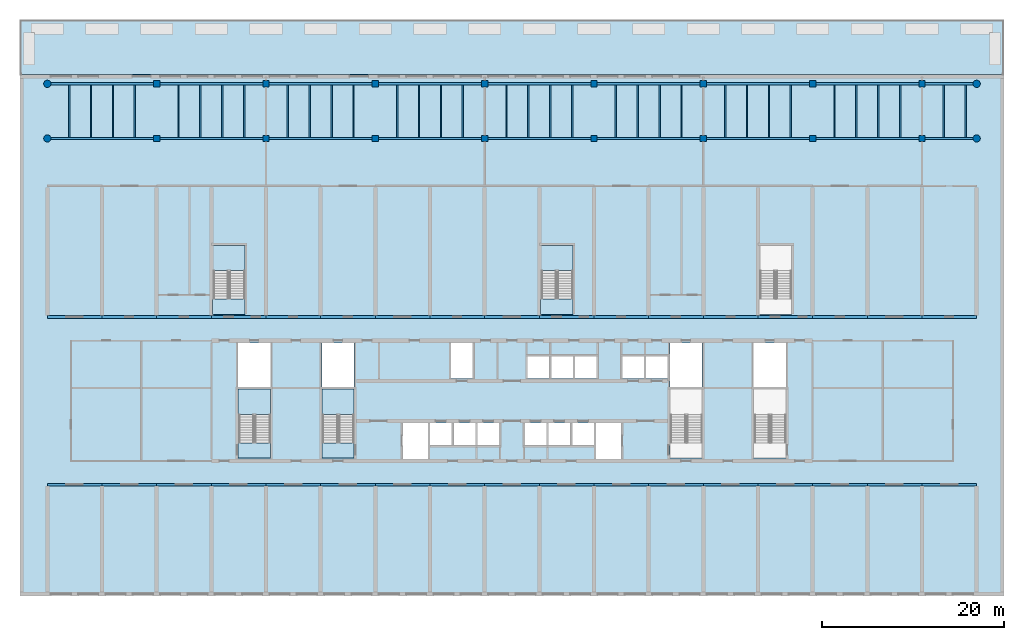
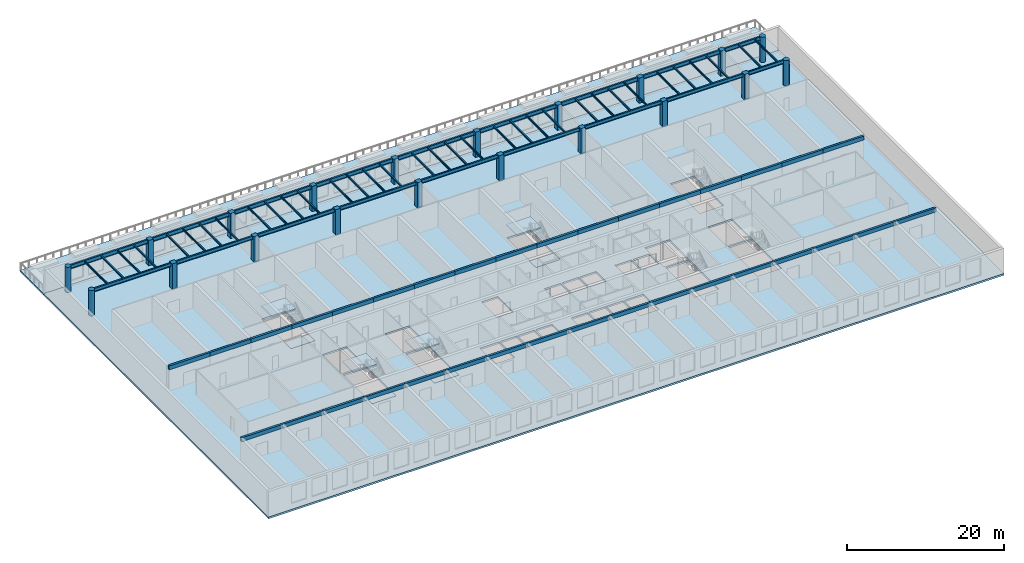
# One storey, part 1 of 16: 86 beams, 20 columns, 10 slabs, 4 elements without a shape of their own.
"""IFC4 building model written with IfcOpenShell, lengths in metres."""

from ifc_helpers import new_model, si_unit, direction, frame, origin, origin_2d, place, context, subcontext, project, spatial, polyline, rectangle, circle, i_section, outline, extrude, source, transform, mapped, material, layer, layer_set, material_profile, profile_set, type_object, element, aggregate, save


model = new_model("IFC4")

# Units and contexts
model_context = context("Model", 3, precision=1e-05, world=origin(), true_north=direction((0.0, 1.0)))
body_context = subcontext(model_context, "Body", "Model", "MODEL_VIEW")
ifc_project = project(units=[si_unit("LENGTHUNIT", "METRE"), si_unit("AREAUNIT", "SQUARE_METRE"), si_unit("VOLUMEUNIT", "CUBIC_METRE"), si_unit("PLANEANGLEUNIT", "RADIAN"), si_unit("MASSUNIT", "GRAM", prefix="KILO")], contexts=[model_context])

# Site, building, storey
site_placement = place(None, origin())
site = spatial("IfcSite", under=ifc_project, at=site_placement, CompositionType="ELEMENT")
building_placement = place(site_placement, origin())
building = spatial("IfcBuilding", under=site, at=building_placement, Name="Poui Terraces", CompositionType="ELEMENT")
storey_placement = place(building_placement, frame((0.0, 0.0, 15.0)))
storey = spatial("IfcBuildingStorey", under=building, at=storey_placement, Name="L03", CompositionType="ELEMENT", Elevation=15.0)

# Columns
ifc_material_1 = material(Name="Concrete 80 MPa", Category="concrete")
ifc_material_profile_1 = material_profile(ifc_material_1, circle(Radius=0.39990234375, at=origin_2d()), Name="RC D800")
ifc_profile_set_1 = profile_set([ifc_material_profile_1], Name="Concrete 80 MPa")
column_type_1 = type_object("IfcColumnType", Name="COLUMN D800 80MPa", PredefinedType="COLUMN", material=ifc_profile_set_1)
shared_shape_1 = source(origin(), body_context, "Body", "SweptSolid", [
    extrude(circle(Radius=0.39990234375, at=origin_2d()), origin(), (0.0, 0.0, 1.0), 3.919921875),
])
for number, where, z_axis, x_axis, name in (
    (1, (0.0, 56.0, 0.0), (0.0, 0.0, 1.0), (1.0, 0.0, 0.0), "COLUMN P3-1R"),
    (2, (102.0, 56.0, 0.0), (0.0, 0.0, 1.0), (1.0, 0.0, 0.0), "COLUMN P3-10R"),
    (3, (0.0, 50.0, 0.0), (0.0, 0.0, 1.0), (1.0, 0.0, 0.0), "COLUMN P4-1R"),
    (4, (102.0, 50.0, 0.0), (0.0, 0.0, 1.0), (1.0, 0.0, 0.0), "COLUMN P4-10R"),
):
    element("IfcColumn", number, at=place(storey_placement, frame(where, z_axis=z_axis, x_axis=x_axis)), inside=storey, type_object=column_type_1, Name=name, PredefinedType="COLUMN", context=body_context, shape_type="MappedRepresentation", body=[
        mapped(shared_shape_1, transform((0.0, 0.0, 0.0))),
    ])
ifc_material_profile_2 = material_profile(ifc_material_1, rectangle(XDim=0.699951171875, YDim=0.699951171875, at=origin_2d()), Name="RC 700x700")
ifc_profile_set_2 = profile_set([ifc_material_profile_2], Name="Concrete 80 MPa")
column_type_2 = type_object("IfcColumnType", Name="COLUMN 700x700 80MPa", PredefinedType="COLUMN", material=ifc_profile_set_2)
shared_shape_2 = source(origin(), body_context, "Body", "SweptSolid", [
    extrude(rectangle(XDim=0.699951171875, YDim=0.699951171875, at=origin_2d()), origin(), (0.0, 0.0, 1.0), 3.919921875),
])
for number, where, z_axis, x_axis, name in (
    (5, (12.0, 56.0, 0.0), (0.0, 0.0, 1.0), (1.0, 0.0, 0.0), "COLUMN P3-2"),
    (6, (24.0, 56.0, 0.0), (0.0, 0.0, 1.0), (1.0, 0.0, 0.0), "COLUMN P3-3"),
    (7, (36.0, 56.0, 0.0), (0.0, 0.0, 1.0), (1.0, 0.0, 0.0), "COLUMN P3-4"),
    (8, (48.0, 56.0, 0.0), (0.0, 0.0, 1.0), (1.0, 0.0, 0.0), "COLUMN P3-5"),
    (9, (60.0, 56.0, 0.0), (0.0, 0.0, 1.0), (1.0, 0.0, 0.0), "COLUMN P3-6"),
    (10, (72.0, 56.0, 0.0), (0.0, 0.0, 1.0), (1.0, 0.0, 0.0), "COLUMN P3-7"),
    (11, (84.0, 56.0, 0.0), (0.0, 0.0, 1.0), (1.0, 0.0, 0.0), "COLUMN P3-8"),
    (12, (96.0, 56.0, 0.0), (0.0, 0.0, 1.0), (1.0, 0.0, 0.0), "COLUMN P3-9"),
    (13, (12.0, 50.0, 0.0), (0.0, 0.0, 1.0), (1.0, 0.0, 0.0), "COLUMN P4-2"),
    (14, (24.0, 50.0, 0.0), (0.0, 0.0, 1.0), (1.0, 0.0, 0.0), "COLUMN P4-3"),
    (15, (36.0, 50.0, 0.0), (0.0, 0.0, 1.0), (1.0, 0.0, 0.0), "COLUMN P4-4"),
    (16, (48.0, 50.0, 0.0), (0.0, 0.0, 1.0), (1.0, 0.0, 0.0), "COLUMN P4-5"),
    (17, (60.0, 50.0, 0.0), (0.0, 0.0, 1.0), (1.0, 0.0, 0.0), "COLUMN P4-6"),
    (18, (72.0, 50.0, 0.0), (0.0, 0.0, 1.0), (1.0, 0.0, 0.0), "COLUMN P4-7"),
    (19, (84.0, 50.0, 0.0), (0.0, 0.0, 1.0), (1.0, 0.0, 0.0), "COLUMN P4-8"),
    (20, (96.0, 50.0, 0.0), (0.0, 0.0, 1.0), (1.0, 0.0, 0.0), "COLUMN P4-9"),
):
    element("IfcColumn", number, at=place(storey_placement, frame(where, z_axis=z_axis, x_axis=x_axis)), inside=storey, type_object=column_type_2, Name=name, PredefinedType="COLUMN", context=body_context, shape_type="MappedRepresentation", body=[
        mapped(shared_shape_2, transform((0.0, 0.0, 0.0))),
    ])

# Beams
ifc_material_profile_3 = material_profile(ifc_material_1, rectangle(XDim=0.300048828125, YDim=0.60009765625, at=origin_2d()), Name="RC 300x600")
ifc_profile_set_3 = profile_set([ifc_material_profile_3], Name="Concrete 80 MPa")
beam_type_1 = type_object("IfcBeamType", Name="COUPLING BEAM 300x600 80MPa", PredefinedType="BEAM", material=ifc_profile_set_3)
shared_shape_3 = source(origin(), body_context, "Body", "SweptSolid", [
    extrude(rectangle(XDim=0.300048828125, YDim=0.60009765625, at=origin_2d()), origin(), (0.0, 0.0, 1.0), 6.0),
])
for number, where, z_axis, x_axis, name in (
    (21, (0.0, 12.0, 3.6201171875), (1.0, 0.0, 0.0), (0.0, 1.0, 0.0), "COUPLING BEAM LINE B BAY 1"),
    (22, (6.0, 12.0, 3.6201171875), (1.0, 0.0, 0.0), (0.0, 1.0, 0.0), "COUPLING BEAM LINE B BAY 2"),
    (23, (12.0, 12.0, 3.6201171875), (1.0, 0.0, 0.0), (0.0, 1.0, 0.0), "COUPLING BEAM LINE B BAY 3"),
    (24, (18.0, 12.0, 3.6201171875), (1.0, 0.0, 0.0), (0.0, 1.0, 0.0), "COUPLING BEAM LINE B BAY 4"),
    (25, (24.0, 12.0, 3.6201171875), (1.0, 0.0, 0.0), (0.0, 1.0, 0.0), "COUPLING BEAM LINE B BAY 5"),
    (26, (30.0, 12.0, 3.6201171875), (1.0, 0.0, 0.0), (0.0, 1.0, 0.0), "COUPLING BEAM LINE B BAY 6"),
    (27, (36.0, 12.0, 3.6201171875), (1.0, 0.0, 0.0), (0.0, 1.0, 0.0), "COUPLING BEAM LINE B BAY 7"),
    (28, (42.0, 12.0, 3.6201171875), (1.0, 0.0, 0.0), (0.0, 1.0, 0.0), "COUPLING BEAM LINE B BAY 8"),
    (29, (48.0, 12.0, 3.6201171875), (1.0, 0.0, 0.0), (0.0, 1.0, 0.0), "COUPLING BEAM LINE B BAY 9"),
    (30, (54.0, 12.0, 3.6201171875), (1.0, 0.0, 0.0), (0.0, 1.0, 0.0), "COUPLING BEAM LINE B BAY 10"),
    (31, (60.0, 12.0, 3.6201171875), (1.0, 0.0, 0.0), (0.0, 1.0, 0.0), "COUPLING BEAM LINE B BAY 11"),
    (32, (66.0, 12.0, 3.6201171875), (1.0, 0.0, 0.0), (0.0, 1.0, 0.0), "COUPLING BEAM LINE B BAY 12"),
    (33, (72.0, 12.0, 3.6201171875), (1.0, 0.0, 0.0), (0.0, 1.0, 0.0), "COUPLING BEAM LINE B BAY 13"),
    (34, (78.0, 12.0, 3.6201171875), (1.0, 0.0, 0.0), (0.0, 1.0, 0.0), "COUPLING BEAM LINE B BAY 14"),
    (35, (84.0, 12.0, 3.6201171875), (1.0, 0.0, 0.0), (0.0, 1.0, 0.0), "COUPLING BEAM LINE B BAY 15"),
    (36, (90.0, 12.0, 3.6201171875), (1.0, 0.0, 0.0), (0.0, 1.0, 0.0), "COUPLING BEAM LINE B BAY 16"),
    (37, (96.0, 12.0, 3.6201171875), (1.0, 0.0, 0.0), (0.0, 1.0, 0.0), "COUPLING BEAM LINE B BAY 17"),
    (38, (0.0, 30.39990234375, 3.6201171875), (1.0, 0.0, 0.0), (0.0, 1.0, 0.0), "COUPLING BEAM LINE E BAY 1"),
    (39, (6.0, 30.39990234375, 3.6201171875), (1.0, 0.0, 0.0), (0.0, 1.0, 0.0), "COUPLING BEAM LINE E BAY 2"),
    (40, (12.0, 30.39990234375, 3.6201171875), (1.0, 0.0, 0.0), (0.0, 1.0, 0.0), "COUPLING BEAM LINE E BAY 3"),
    (41, (18.0, 30.39990234375, 3.6201171875), (1.0, 0.0, 0.0), (0.0, 1.0, 0.0), "COUPLING BEAM LINE E BAY 4"),
    (42, (24.0, 30.39990234375, 3.6201171875), (1.0, 0.0, 0.0), (0.0, 1.0, 0.0), "COUPLING BEAM LINE E BAY 5"),
    (43, (30.0, 30.39990234375, 3.6201171875), (1.0, 0.0, 0.0), (0.0, 1.0, 0.0), "COUPLING BEAM LINE E BAY 6"),
    (44, (36.0, 30.39990234375, 3.6201171875), (1.0, 0.0, 0.0), (0.0, 1.0, 0.0), "COUPLING BEAM LINE E BAY 7"),
    (45, (42.0, 30.39990234375, 3.6201171875), (1.0, 0.0, 0.0), (0.0, 1.0, 0.0), "COUPLING BEAM LINE E BAY 8"),
    (46, (48.0, 30.39990234375, 3.6201171875), (1.0, 0.0, 0.0), (0.0, 1.0, 0.0), "COUPLING BEAM LINE E BAY 9"),
    (47, (54.0, 30.39990234375, 3.6201171875), (1.0, 0.0, 0.0), (0.0, 1.0, 0.0), "COUPLING BEAM LINE E BAY 10"),
    (48, (60.0, 30.39990234375, 3.6201171875), (1.0, 0.0, 0.0), (0.0, 1.0, 0.0), "COUPLING BEAM LINE E BAY 11"),
    (49, (66.0, 30.39990234375, 3.6201171875), (1.0, 0.0, 0.0), (0.0, 1.0, 0.0), "COUPLING BEAM LINE E BAY 12"),
    (50, (72.0, 30.39990234375, 3.6201171875), (1.0, 0.0, 0.0), (0.0, 1.0, 0.0), "COUPLING BEAM LINE E BAY 13"),
    (51, (78.0, 30.39990234375, 3.6201171875), (1.0, 0.0, 0.0), (0.0, 1.0, 0.0), "COUPLING BEAM LINE E BAY 14"),
    (52, (84.0, 30.39990234375, 3.6201171875), (1.0, 0.0, 0.0), (0.0, 1.0, 0.0), "COUPLING BEAM LINE E BAY 15"),
    (53, (90.0, 30.39990234375, 3.6201171875), (1.0, 0.0, 0.0), (0.0, 1.0, 0.0), "COUPLING BEAM LINE E BAY 16"),
    (54, (96.0, 30.39990234375, 3.6201171875), (1.0, 0.0, 0.0), (0.0, 1.0, 0.0), "COUPLING BEAM LINE E BAY 17"),
):
    element("IfcBeam", number, at=place(storey_placement, frame(where, z_axis=z_axis, x_axis=x_axis)), inside=storey, type_object=beam_type_1, Name=name, PredefinedType="BEAM", context=body_context, shape_type="MappedRepresentation", body=[
        mapped(shared_shape_3, transform((0.0, 0.0, 0.0))),
    ])
ifc_material_2 = material(Name="Steel Grade 300 MPa", Category="steel")
ifc_material_profile_4 = material_profile(ifc_material_2, i_section(OverallWidth=0.14599609375, OverallDepth=0.256103515625, WebThickness=0.00634765625, FlangeThickness=0.010986328125, FilletRadius=0.0087890625, at=origin_2d()), Name="250UB37.3")
ifc_profile_set_4 = profile_set([ifc_material_profile_4], Name="Steel Grade 300 MPa")
beam_type_2 = type_object("IfcBeamType", Name="TERRACE BEAM 250UB37.3", PredefinedType="BEAM", material=ifc_profile_set_4)
shared_shape_4 = source(origin(), body_context, "Body", "SweptSolid", [
    extrude(i_section(OverallWidth=0.14599609375, OverallDepth=0.256103515625, WebThickness=0.00634765625, FlangeThickness=0.010986328125, FilletRadius=0.0087890625, at=origin_2d()), origin(), (0.0, 0.0, 1.0), 5.781005859375),
])
for number, where, z_axis, x_axis, name in (
    (55, (2.39990234375, 50.1044921875, 3.7919921875), (0.0, 1.0, 0.0), (-1.0, 0.0, 0.0), "TERRACE BEAM"),
    (56, (4.800048828125, 50.1044921875, 3.7919921875), (0.0, 1.0, 0.0), (-1.0, 0.0, 0.0), "TERRACE BEAM"),
    (57, (7.199951171875, 50.1044921875, 3.7919921875), (0.0, 1.0, 0.0), (-1.0, 0.0, 0.0), "TERRACE BEAM"),
    (58, (9.60009765625, 50.1044921875, 3.7919921875), (0.0, 1.0, 0.0), (-1.0, 0.0, 0.0), "TERRACE BEAM"),
    (59, (14.39990234375, 50.1044921875, 3.7919921875), (0.0, 1.0, 0.0), (-1.0, 0.0, 0.0), "TERRACE BEAM"),
    (60, (16.800048828125, 50.1044921875, 3.7919921875), (0.0, 1.0, 0.0), (-1.0, 0.0, 0.0), "TERRACE BEAM"),
    (61, (19.199951171875, 50.1044921875, 3.7919921875), (0.0, 1.0, 0.0), (-1.0, 0.0, 0.0), "TERRACE BEAM"),
    (62, (21.60009765625, 50.1044921875, 3.7919921875), (0.0, 1.0, 0.0), (-1.0, 0.0, 0.0), "TERRACE BEAM"),
    (63, (26.39990234375, 50.1044921875, 3.7919921875), (0.0, 1.0, 0.0), (-1.0, 0.0, 0.0), "TERRACE BEAM"),
    (64, (28.800048828125, 50.1044921875, 3.7919921875), (0.0, 1.0, 0.0), (-1.0, 0.0, 0.0), "TERRACE BEAM"),
    (65, (31.199951171875, 50.1044921875, 3.7919921875), (0.0, 1.0, 0.0), (-1.0, 0.0, 0.0), "TERRACE BEAM"),
    (66, (33.60009765625, 50.1044921875, 3.7919921875), (0.0, 1.0, 0.0), (-1.0, 0.0, 0.0), "TERRACE BEAM"),
    (67, (38.39990234375, 50.1044921875, 3.7919921875), (0.0, 1.0, 0.0), (-1.0, 0.0, 0.0), "TERRACE BEAM"),
    (68, (40.800048828125, 50.1044921875, 3.7919921875), (0.0, 1.0, 0.0), (-1.0, 0.0, 0.0), "TERRACE BEAM"),
    (69, (43.199951171875, 50.1044921875, 3.7919921875), (0.0, 1.0, 0.0), (-1.0, 0.0, 0.0), "TERRACE BEAM"),
    (70, (45.60009765625, 50.1044921875, 3.7919921875), (0.0, 1.0, 0.0), (-1.0, 0.0, 0.0), "TERRACE BEAM"),
    (71, (50.39990234375, 50.1044921875, 3.7919921875), (0.0, 1.0, 0.0), (-1.0, 0.0, 0.0), "TERRACE BEAM"),
    (72, (52.800048828125, 50.1044921875, 3.7919921875), (0.0, 1.0, 0.0), (-1.0, 0.0, 0.0), "TERRACE BEAM"),
    (73, (55.199951171875, 50.1044921875, 3.7919921875), (0.0, 1.0, 0.0), (-1.0, 0.0, 0.0), "TERRACE BEAM"),
    (74, (57.60009765625, 50.1044921875, 3.7919921875), (0.0, 1.0, 0.0), (-1.0, 0.0, 0.0), "TERRACE BEAM"),
    (75, (62.39990234375, 50.1044921875, 3.7919921875), (0.0, 1.0, 0.0), (-1.0, 0.0, 0.0), "TERRACE BEAM"),
    (76, (64.800048828125, 50.1044921875, 3.7919921875), (0.0, 1.0, 0.0), (-1.0, 0.0, 0.0), "TERRACE BEAM"),
    (77, (67.199951171875, 50.1044921875, 3.7919921875), (0.0, 1.0, 0.0), (-1.0, 0.0, 0.0), "TERRACE BEAM"),
    (78, (69.60009765625, 50.1044921875, 3.7919921875), (0.0, 1.0, 0.0), (-1.0, 0.0, 0.0), "TERRACE BEAM"),
    (79, (74.39990234375, 50.1044921875, 3.7919921875), (0.0, 1.0, 0.0), (-1.0, 0.0, 0.0), "TERRACE BEAM"),
    (80, (76.800048828125, 50.1044921875, 3.7919921875), (0.0, 1.0, 0.0), (-1.0, 0.0, 0.0), "TERRACE BEAM"),
    (81, (79.199951171875, 50.1044921875, 3.7919921875), (0.0, 1.0, 0.0), (-1.0, 0.0, 0.0), "TERRACE BEAM"),
    (82, (81.60009765625, 50.1044921875, 3.7919921875), (0.0, 1.0, 0.0), (-1.0, 0.0, 0.0), "TERRACE BEAM"),
    (83, (86.39990234375, 50.1044921875, 3.7919921875), (0.0, 1.0, 0.0), (-1.0, 0.0, 0.0), "TERRACE BEAM"),
    (84, (88.800048828125, 50.1044921875, 3.7919921875), (0.0, 1.0, 0.0), (-1.0, 0.0, 0.0), "TERRACE BEAM"),
    (85, (91.199951171875, 50.1044921875, 3.7919921875), (0.0, 1.0, 0.0), (-1.0, 0.0, 0.0), "TERRACE BEAM"),
    (86, (93.60009765625, 50.1044921875, 3.7919921875), (0.0, 1.0, 0.0), (-1.0, 0.0, 0.0), "TERRACE BEAM"),
    (87, (98.39990234375, 50.1044921875, 3.7919921875), (0.0, 1.0, 0.0), (-1.0, 0.0, 0.0), "TERRACE BEAM"),
    (88, (100.800048828125, 50.1044921875, 3.7919921875), (0.0, 1.0, 0.0), (-1.0, 0.0, 0.0), "TERRACE BEAM"),
):
    element("IfcBeam", number, at=place(storey_placement, frame(where, z_axis=z_axis, x_axis=x_axis)), inside=storey, type_object=beam_type_2, Name=name, PredefinedType="BEAM", context=body_context, shape_type="MappedRepresentation", body=[
        mapped(shared_shape_4, transform((0.0, 0.0, 0.0))),
    ])
ifc_material_profile_5 = material_profile(ifc_material_2, i_section(OverallWidth=0.22900390625, OverallDepth=0.611572265625, WebThickness=0.011962890625, FlangeThickness=0.01953125, FilletRadius=0.013916015625, at=origin_2d()), Name="610UB125")
ifc_profile_set_5 = profile_set([ifc_material_profile_5], Name="Steel Grade 300 MPa")
beam_type_3 = type_object("IfcBeamType", Name="TERRACE GIRDER 610UB125", PredefinedType="BEAM", material=ifc_profile_set_5)
shared_shape_5 = source(origin(), body_context, "Body", "SweptSolid", [
    extrude(i_section(OverallWidth=0.22900390625, OverallDepth=0.611572265625, WebThickness=0.011962890625, FlangeThickness=0.01953125, FilletRadius=0.013916015625, at=origin_2d()), origin(), (0.0, 0.0, 1.0), 11.25),
])
beam_1_placement = place(storey_placement, frame((0.39990234375, 56.0, 3.6142578125), z_axis=(1.0, 0.0, 0.0), x_axis=(0.0, 1.0, 0.0)))
element("IfcBeam", 89, at=beam_1_placement, inside=storey, type_object=beam_type_3, Name="TERRACE GIRDER", PredefinedType="BEAM", context=body_context, shape_type="MappedRepresentation", body=[
    mapped(shared_shape_5, transform((0.0, 0.0, 0.0))),
])
shared_shape_6 = source(origin(), body_context, "Body", "SweptSolid", [
    extrude(i_section(OverallWidth=0.22900390625, OverallDepth=0.611572265625, WebThickness=0.011962890625, FlangeThickness=0.01953125, FilletRadius=0.013916015625, at=origin_2d()), origin(), (0.0, 0.0, 1.0), 11.2998046875),
])
for number, where, z_axis, x_axis, name in (
    (90, (12.35009765625, 56.0, 3.6142578125), (1.0, 0.0, 0.0), (0.0, 1.0, 0.0), "TERRACE GIRDER"),
    (91, (24.35009765625, 56.0, 3.6142578125), (1.0, 0.0, 0.0), (0.0, 1.0, 0.0), "TERRACE GIRDER"),
    (92, (36.35009765625, 56.0, 3.6142578125), (1.0, 0.0, 0.0), (0.0, 1.0, 0.0), "TERRACE GIRDER"),
    (93, (48.35009765625, 56.0, 3.6142578125), (1.0, 0.0, 0.0), (0.0, 1.0, 0.0), "TERRACE GIRDER"),
    (94, (60.35009765625, 56.0, 3.6142578125), (1.0, 0.0, 0.0), (0.0, 1.0, 0.0), "TERRACE GIRDER"),
    (95, (72.35009765625, 56.0, 3.6142578125), (1.0, 0.0, 0.0), (0.0, 1.0, 0.0), "TERRACE GIRDER"),
    (96, (84.35009765625, 56.0, 3.6142578125), (1.0, 0.0, 0.0), (0.0, 1.0, 0.0), "TERRACE GIRDER"),
):
    element("IfcBeam", number, at=place(storey_placement, frame(where, z_axis=z_axis, x_axis=x_axis)), inside=storey, type_object=beam_type_3, Name=name, PredefinedType="BEAM", context=body_context, shape_type="MappedRepresentation", body=[
        mapped(shared_shape_6, transform((0.0, 0.0, 0.0))),
    ])
shared_shape_7 = source(origin(), body_context, "Body", "SweptSolid", [
    extrude(i_section(OverallWidth=0.22900390625, OverallDepth=0.611572265625, WebThickness=0.011962890625, FlangeThickness=0.01953125, FilletRadius=0.013916015625, at=origin_2d()), origin(), (0.0, 0.0, 1.0), 5.25),
])
beam_2_placement = place(storey_placement, frame((96.35009765625, 56.0, 3.6142578125), z_axis=(1.0, 0.0, 0.0), x_axis=(0.0, 1.0, 0.0)))
element("IfcBeam", 97, at=beam_2_placement, inside=storey, type_object=beam_type_3, Name="TERRACE GIRDER", PredefinedType="BEAM", context=body_context, shape_type="MappedRepresentation", body=[
    mapped(shared_shape_7, transform((0.0, 0.0, 0.0))),
])
ifc_material_profile_6 = material_profile(ifc_material_2, i_section(OverallWidth=0.208984375, OverallDepth=0.532958984375, WebThickness=0.01025390625, FlangeThickness=0.015625, FilletRadius=0.013916015625, at=origin_2d()), Name="530UB92.4")
ifc_profile_set_6 = profile_set([ifc_material_profile_6], Name="Steel Grade 300 MPa")
beam_type_4 = type_object("IfcBeamType", Name="TERRACE INNER GIRDER 530UB92.4", PredefinedType="BEAM", material=ifc_profile_set_6)
shared_shape_8 = source(origin(), body_context, "Body", "SweptSolid", [
    extrude(i_section(OverallWidth=0.208984375, OverallDepth=0.532958984375, WebThickness=0.01025390625, FlangeThickness=0.015625, FilletRadius=0.013916015625, at=origin_2d()), origin(), (0.0, 0.0, 1.0), 11.25),
])
beam_3_placement = place(storey_placement, frame((0.39990234375, 50.0, 3.653564453125), z_axis=(1.0, 0.0, 0.0), x_axis=(0.0, 1.0, 0.0)))
element("IfcBeam", 98, at=beam_3_placement, inside=storey, type_object=beam_type_4, Name="TERRACE GIRDER", PredefinedType="BEAM", context=body_context, shape_type="MappedRepresentation", body=[
    mapped(shared_shape_8, transform((0.0, 0.0, 0.0))),
])
shared_shape_9 = source(origin(), body_context, "Body", "SweptSolid", [
    extrude(i_section(OverallWidth=0.208984375, OverallDepth=0.532958984375, WebThickness=0.01025390625, FlangeThickness=0.015625, FilletRadius=0.013916015625, at=origin_2d()), origin(), (0.0, 0.0, 1.0), 11.2998046875),
])
for number, where, z_axis, x_axis, name in (
    (99, (12.35009765625, 50.0, 3.653564453125), (1.0, 0.0, 0.0), (0.0, 1.0, 0.0), "TERRACE GIRDER"),
    (100, (24.35009765625, 50.0, 3.653564453125), (1.0, 0.0, 0.0), (0.0, 1.0, 0.0), "TERRACE GIRDER"),
    (101, (36.35009765625, 50.0, 3.653564453125), (1.0, 0.0, 0.0), (0.0, 1.0, 0.0), "TERRACE GIRDER"),
    (102, (48.35009765625, 50.0, 3.653564453125), (1.0, 0.0, 0.0), (0.0, 1.0, 0.0), "TERRACE GIRDER"),
    (103, (60.35009765625, 50.0, 3.653564453125), (1.0, 0.0, 0.0), (0.0, 1.0, 0.0), "TERRACE GIRDER"),
    (104, (72.35009765625, 50.0, 3.653564453125), (1.0, 0.0, 0.0), (0.0, 1.0, 0.0), "TERRACE GIRDER"),
    (105, (84.35009765625, 50.0, 3.653564453125), (1.0, 0.0, 0.0), (0.0, 1.0, 0.0), "TERRACE GIRDER"),
):
    element("IfcBeam", number, at=place(storey_placement, frame(where, z_axis=z_axis, x_axis=x_axis)), inside=storey, type_object=beam_type_4, Name=name, PredefinedType="BEAM", context=body_context, shape_type="MappedRepresentation", body=[
        mapped(shared_shape_9, transform((0.0, 0.0, 0.0))),
    ])
shared_shape_10 = source(origin(), body_context, "Body", "SweptSolid", [
    extrude(i_section(OverallWidth=0.208984375, OverallDepth=0.532958984375, WebThickness=0.01025390625, FlangeThickness=0.015625, FilletRadius=0.013916015625, at=origin_2d()), origin(), (0.0, 0.0, 1.0), 5.25),
])
beam_4_placement = place(storey_placement, frame((96.35009765625, 50.0, 3.653564453125), z_axis=(1.0, 0.0, 0.0), x_axis=(0.0, 1.0, 0.0)))
element("IfcBeam", 106, at=beam_4_placement, inside=storey, type_object=beam_type_4, Name="TERRACE GIRDER", PredefinedType="BEAM", context=body_context, shape_type="MappedRepresentation", body=[
    mapped(shared_shape_10, transform((0.0, 0.0, 0.0))),
])

# Stair, slabs
stair_type = type_object("IfcStairType", Name="EXIT STAIR 1650 80 MPA", PredefinedType="HALF_TURN_STAIR", material=ifc_material_1)
stair_1_placement = place(storey_placement, origin())
stair_1 = element("IfcStair", 107, at=stair_1_placement, inside=storey, type_object=stair_type, Name="L03 CORE STAIR WEST", PredefinedType="HALF_TURN_STAIR")
ifc_layer_1 = layer(ifc_material_1, 0.199951171875)
ifc_layer_set_1 = layer_set([ifc_layer_1], Name="Concrete 80 MPa")
slab_type_1 = type_object("IfcSlabType", Name="STAIR LANDING 200 80 MPA", PredefinedType="LANDING", material=ifc_layer_set_1)
slab_1_placement = place(storey_placement, frame((0.0, 0.0, 1.89990234375)))
slab_1 = element("IfcSlab", 108, at=slab_1_placement, type_object=slab_type_1, Name="ST-CW landing 1", PredefinedType="LANDING", context=body_context, shape_type="SweptSolid", body=[
    extrude(outline(polyline([(30.125, 19.679931640625), (33.675048828125, 19.679931640625), (33.675048828125, 22.47509765625), (30.125, 22.47509765625), (30.125, 19.679931640625)])), origin(), (0.0, 0.0, 1.0), 0.2001953125),
])
slab_2_placement = place(storey_placement, frame((0.0, 0.0, -0.2001953125)))
slab_2 = element("IfcSlab", 109, at=slab_2_placement, type_object=slab_type_1, Name="ST-CW landing 2", PredefinedType="LANDING", context=body_context, shape_type="SweptSolid", body=[
    extrude(outline(polyline([(30.125, 14.949951171875), (33.675048828125, 14.949951171875), (33.675048828125, 16.60009765625), (30.125, 16.60009765625), (30.125, 14.949951171875)])), origin(), (0.0, 0.0, 1.0), 0.2001953125),
])
aggregate(stair_1, [slab_1, slab_2])

stair_2_placement = place(storey_placement, origin())
stair_2 = element("IfcStair", 110, at=stair_2_placement, inside=storey, type_object=stair_type, Name="L03 TIP STAIR WEST", PredefinedType="HALF_TURN_STAIR")
slab_3_placement = place(storey_placement, frame((0.0, 0.0, 1.89990234375)))
slab_3 = element("IfcSlab", 111, at=slab_3_placement, type_object=slab_type_1, Name="ST-W landing 1", PredefinedType="LANDING", context=body_context, shape_type="SweptSolid", body=[
    extrude(outline(polyline([(20.925048828125, 19.679931640625), (24.47509765625, 19.679931640625), (24.47509765625, 22.47509765625), (20.925048828125, 22.47509765625), (20.925048828125, 19.679931640625)])), origin(), (0.0, 0.0, 1.0), 0.2001953125),
])
slab_4_placement = place(storey_placement, frame((0.0, 0.0, -0.2001953125)))
slab_4 = element("IfcSlab", 112, at=slab_4_placement, type_object=slab_type_1, Name="ST-W landing 2", PredefinedType="LANDING", context=body_context, shape_type="SweptSolid", body=[
    extrude(outline(polyline([(20.925048828125, 14.949951171875), (24.47509765625, 14.949951171875), (24.47509765625, 16.60009765625), (20.925048828125, 16.60009765625), (20.925048828125, 14.949951171875)])), origin(), (0.0, 0.0, 1.0), 0.2001953125),
])
aggregate(stair_2, [slab_3, slab_4])

stair_3_placement = place(storey_placement, origin())
stair_3 = element("IfcStair", 113, at=stair_3_placement, inside=storey, type_object=stair_type, Name="L03 PODIUM STAIR 1", PredefinedType="HALF_TURN_STAIR")
slab_5_placement = place(storey_placement, frame((0.0, 0.0, 1.89990234375)))
slab_5 = element("IfcSlab", 114, at=slab_5_placement, type_object=slab_type_1, Name="ST-N1 landing 1", PredefinedType="LANDING", context=body_context, shape_type="SweptSolid", body=[
    extrude(outline(polyline([(18.125, 35.47998046875), (21.675048828125, 35.47998046875), (21.675048828125, 38.27490234375), (18.125, 38.27490234375), (18.125, 35.47998046875)])), origin(), (0.0, 0.0, 1.0), 0.2001953125),
])
slab_6_placement = place(storey_placement, frame((0.0, 0.0, -0.2001953125)))
slab_6 = element("IfcSlab", 115, at=slab_6_placement, type_object=slab_type_1, Name="ST-N1 landing 2", PredefinedType="LANDING", context=body_context, shape_type="SweptSolid", body=[
    extrude(outline(polyline([(18.125, 30.699951171875), (21.675048828125, 30.699951171875), (21.675048828125, 32.39990234375), (18.125, 32.39990234375), (18.125, 30.699951171875)])), origin(), (0.0, 0.0, 1.0), 0.2001953125),
])
aggregate(stair_3, [slab_5, slab_6])

stair_4_placement = place(storey_placement, origin())
stair_4 = element("IfcStair", 116, at=stair_4_placement, inside=storey, type_object=stair_type, Name="L03 PODIUM STAIR 3", PredefinedType="HALF_TURN_STAIR")
slab_7_placement = place(storey_placement, frame((0.0, 0.0, 1.89990234375)))
slab_7 = element("IfcSlab", 117, at=slab_7_placement, type_object=slab_type_1, Name="ST-N3 landing 1", PredefinedType="LANDING", context=body_context, shape_type="SweptSolid", body=[
    extrude(outline(polyline([(54.125, 35.47998046875), (57.675048828125, 35.47998046875), (57.675048828125, 38.27490234375), (54.125, 38.27490234375), (54.125, 35.47998046875)])), origin(), (0.0, 0.0, 1.0), 0.2001953125),
])
slab_8_placement = place(storey_placement, frame((0.0, 0.0, -0.2001953125)))
slab_8 = element("IfcSlab", 118, at=slab_8_placement, type_object=slab_type_1, Name="ST-N3 landing 2", PredefinedType="LANDING", context=body_context, shape_type="SweptSolid", body=[
    extrude(outline(polyline([(54.125, 30.699951171875), (57.675048828125, 30.699951171875), (57.675048828125, 32.39990234375), (54.125, 32.39990234375), (54.125, 30.699951171875)])), origin(), (0.0, 0.0, 1.0), 0.2001953125),
])
aggregate(stair_4, [slab_7, slab_8])

# Slabs
ifc_material_3 = material(Name="Concrete 40 MPa", Category="concrete")
ifc_layer_2 = layer(ifc_material_3, 0.280029296875)
ifc_layer_set_2 = layer_set([ifc_layer_2], Name="Concrete 40 MPa")
slab_type_2 = type_object("IfcSlabType", Name="FLOOR SLAB 280", PredefinedType="FLOOR", material=ifc_layer_set_2)
shared_shape_11 = source(origin(), body_context, "Body", "SweptSolid", [
    extrude(outline(polyline([(0.0, 0.0), (108.0, 0.0), (108.0, 57.199951171875), (0.0, 57.199951171875), (0.0, 0.0)]), holes=[polyline([(42.0, 15.02490234375), (42.0, 18.974853515625), (44.800048828125, 18.974853515625), (44.800048828125, 15.02490234375), (42.0, 15.02490234375)]), polyline([(45.0, 18.974853515625), (47.39990234375, 18.974853515625), (47.39990234375, 16.5), (45.0, 16.5), (45.0, 18.974853515625)]), polyline([(47.60009765625, 18.974853515625), (50.0, 18.974853515625), (50.0, 16.5), (47.60009765625, 16.5), (47.60009765625, 18.974853515625)]), polyline([(50.199951171875, 16.5), (50.199951171875, 18.974853515625), (52.60009765625, 18.974853515625), (52.60009765625, 16.5), (50.199951171875, 16.5)]), polyline([(55.39990234375, 18.974853515625), (57.800048828125, 18.974853515625), (57.800048828125, 16.5), (55.39990234375, 16.5), (55.39990234375, 18.974853515625)]), polyline([(27.47509765625, 22.64990234375), (27.47509765625, 16.800048828125), (27.47509765625, 15.14990234375), (23.925048828125, 15.14990234375), (23.925048828125, 16.800048828125), (24.02490234375, 16.800048828125), (24.02490234375, 22.64990234375), (27.47509765625, 22.64990234375)]), polyline([(33.22509765625, 22.64990234375), (36.675048828125, 22.64990234375), (36.675048828125, 16.800048828125), (36.675048828125, 15.14990234375), (33.125, 15.14990234375), (33.125, 16.800048828125), (33.22509765625, 16.800048828125), (33.22509765625, 22.64990234375)]), polyline([(55.699951171875, 26.300048828125), (58.10009765625, 26.300048828125), (58.10009765625, 23.824951171875), (55.699951171875, 23.824951171875), (55.699951171875, 26.300048828125)]), polyline([(23.925048828125, 27.77490234375), (27.47509765625, 27.77490234375), (27.47509765625, 22.925048828125), (23.925048828125, 22.925048828125), (23.925048828125, 27.77490234375)]), polyline([(33.125, 22.925048828125), (33.125, 27.77490234375), (36.675048828125, 27.77490234375), (36.675048828125, 22.925048828125), (33.125, 22.925048828125)]), polyline([(47.300048828125, 27.77490234375), (49.699951171875, 27.77490234375), (49.699951171875, 23.824951171875), (47.300048828125, 23.824951171875), (47.300048828125, 27.77490234375)]), polyline([(24.675048828125, 38.449951171875), (24.675048828125, 32.599853515625), (24.675048828125, 30.89990234375), (21.125, 30.89990234375), (21.125, 32.599853515625), (21.22509765625, 32.599853515625), (21.22509765625, 38.449951171875), (24.675048828125, 38.449951171875)]), polyline([(57.22509765625, 38.449951171875), (60.675048828125, 38.449951171875), (60.675048828125, 32.599853515625), (60.675048828125, 30.89990234375), (57.125, 30.89990234375), (57.125, 32.599853515625), (57.22509765625, 32.599853515625), (57.22509765625, 38.449951171875)]), polyline([(63.199951171875, 18.974853515625), (66.0, 18.974853515625), (66.0, 15.02490234375), (63.199951171875, 15.02490234375), (63.199951171875, 18.974853515625)]), polyline([(58.0, 18.974853515625), (60.39990234375, 18.974853515625), (60.39990234375, 16.5), (58.0, 16.5), (58.0, 18.974853515625)]), polyline([(60.60009765625, 16.5), (60.60009765625, 18.974853515625), (63.0, 18.974853515625), (63.0, 16.5), (60.60009765625, 16.5)]), polyline([(74.875, 22.64990234375), (74.875, 16.800048828125), (74.875, 15.14990234375), (71.324951171875, 15.14990234375), (71.324951171875, 16.800048828125), (71.425048828125, 16.800048828125), (71.425048828125, 22.64990234375), (74.875, 22.64990234375)]), polyline([(84.074951171875, 22.64990234375), (84.074951171875, 16.800048828125), (84.074951171875, 15.14990234375), (80.52490234375, 15.14990234375), (80.52490234375, 16.800048828125), (80.625, 16.800048828125), (80.625, 22.64990234375), (84.074951171875, 22.64990234375)]), polyline([(58.300048828125, 23.824951171875), (58.300048828125, 26.300048828125), (60.699951171875, 26.300048828125), (60.699951171875, 23.824951171875), (58.300048828125, 23.824951171875)]), polyline([(60.89990234375, 26.300048828125), (63.300048828125, 26.300048828125), (63.300048828125, 23.824951171875), (60.89990234375, 23.824951171875), (60.89990234375, 26.300048828125)]), polyline([(66.10009765625, 26.300048828125), (68.5, 26.300048828125), (68.5, 23.824951171875), (66.10009765625, 23.824951171875), (66.10009765625, 26.300048828125)]), polyline([(68.699951171875, 26.300048828125), (71.10009765625, 26.300048828125), (71.10009765625, 23.824951171875), (68.699951171875, 23.824951171875), (68.699951171875, 26.300048828125)]), polyline([(71.324951171875, 27.77490234375), (74.875, 27.77490234375), (74.875, 22.925048828125), (71.324951171875, 22.925048828125), (71.324951171875, 27.77490234375)]), polyline([(80.52490234375, 27.77490234375), (84.074951171875, 27.77490234375), (84.074951171875, 22.925048828125), (80.52490234375, 22.925048828125), (80.52490234375, 27.77490234375)]), polyline([(84.675048828125, 38.449951171875), (84.675048828125, 32.599853515625), (84.675048828125, 30.89990234375), (81.125, 30.89990234375), (81.125, 32.599853515625), (81.22509765625, 32.599853515625), (81.22509765625, 38.449951171875), (84.675048828125, 38.449951171875)])]), origin(), (0.0, 0.0, 1.0), 0.280029296875),
])
slab_9_placement = place(storey_placement, frame((-3.0, -0.199951171875, -0.280029296875)))
element("IfcSlab", 119, at=slab_9_placement, inside=storey, type_object=slab_type_2, Name="FLOOR SLAB", PredefinedType="FLOOR", context=body_context, shape_type="MappedRepresentation", body=[
    mapped(shared_shape_11, transform((0.0, 0.0, 0.0))),
])
ifc_layer_3 = layer(ifc_material_3, 0.280029296875)
ifc_layer_set_3 = layer_set([ifc_layer_3], Name="Concrete 40 MPa")
slab_type_3 = type_object("IfcSlabType", Name="TERRACE SLAB 280", PredefinedType="FLOOR", material=ifc_layer_set_3)
shared_shape_12 = source(origin(), body_context, "Body", "SweptSolid", [
    extrude(outline(polyline([(0.0, 0.0), (0.0, -6.0), (108.0, -6.0), (108.0, 0.0), (0.0, 0.0)])), origin(), (0.0, 0.0, 1.0), 0.280029296875),
])
slab_10_placement = place(storey_placement, frame((-3.0, 63.0, -0.280029296875)))
element("IfcSlab", 120, at=slab_10_placement, inside=storey, type_object=slab_type_3, Name="TERRACE SLAB", PredefinedType="FLOOR", context=body_context, shape_type="MappedRepresentation", body=[
    mapped(shared_shape_12, transform((0.0, 0.0, 0.0))),
])

save(model, "model.ifc")
